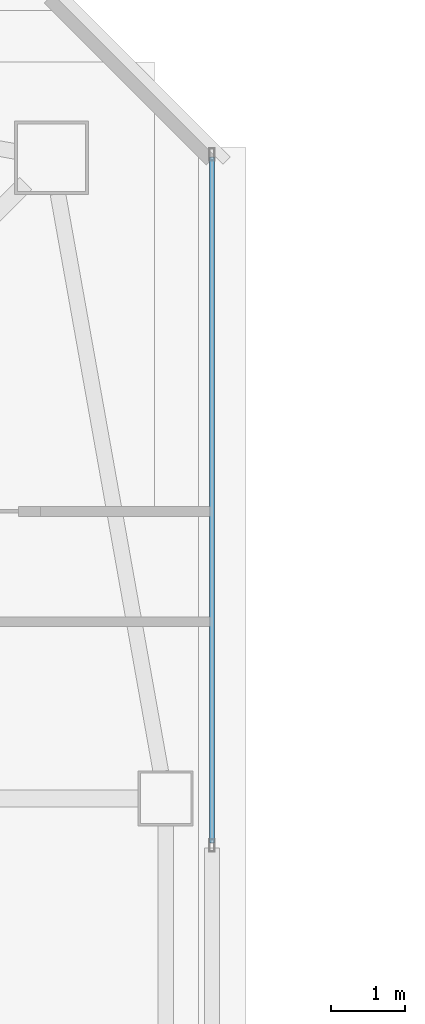
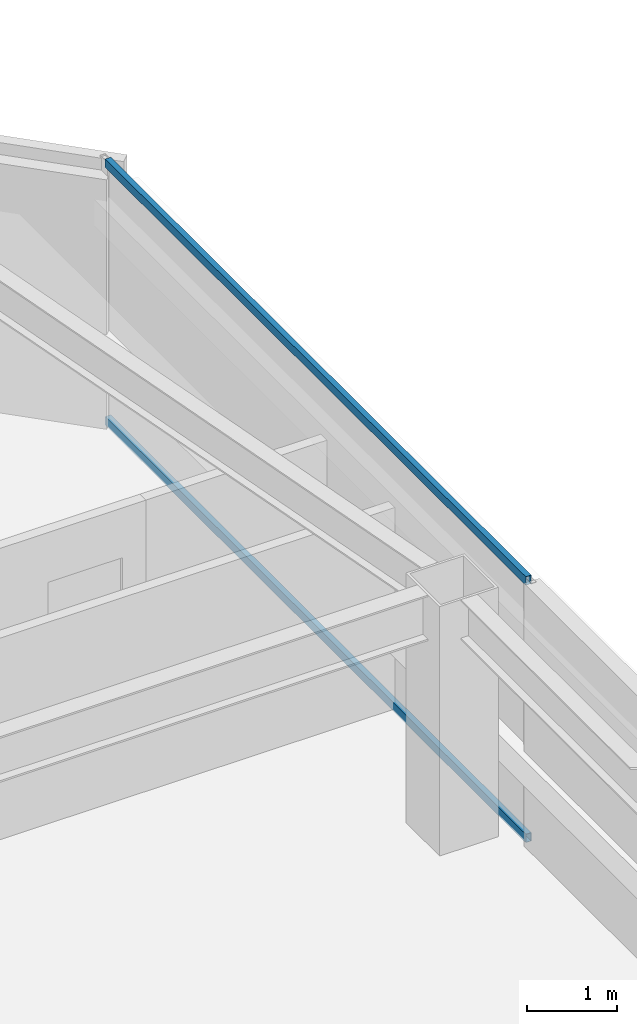
# One storey, part 12 of 39: 2 members, 1 element without a shape of its own.
"""IFC4 building model written with IfcOpenShell, lengths in metres."""

from ifc_helpers import new_model, si_unit, direction, frame, origin, origin_2d, place, context, subcontext, project, spatial, hollow_rectangle, extrude, material, material_profile, profile_set, type_object, element, aggregate, save


model = new_model("IFC4")

# Units and contexts
model_context = context("Model", 3, precision=1e-05, world=origin(), true_north=direction((0.0, 1.0)))
body_context = subcontext(model_context, "Body", "Model", "MODEL_VIEW")
ifc_project = project(units=[si_unit("LENGTHUNIT", "METRE"), si_unit("AREAUNIT", "SQUARE_METRE"), si_unit("VOLUMEUNIT", "CUBIC_METRE"), si_unit("PLANEANGLEUNIT", "RADIAN"), si_unit("MASSUNIT", "GRAM", prefix="KILO")], contexts=[model_context])

# Site, building, storey
site_placement = place(None, origin())
site = spatial("IfcSite", under=ifc_project, at=site_placement, CompositionType="ELEMENT")
building_placement = place(site_placement, origin())
building = spatial("IfcBuilding", under=site, at=building_placement, Name="Tashvorn Skyway Center", CompositionType="ELEMENT")
storey_placement = place(building_placement, frame((0.0, 0.0, 207.75)))
storey = spatial("IfcBuildingStorey", under=building, at=storey_placement, Name="L56", CompositionType="ELEMENT", Elevation=207.75)

# Curtain wall, members
ifc_material = material(Name="Thermally broken bronze-anodized aluminium 6063-T6", Category="aluminium")
curtain_wall_type = type_object("IfcCurtainWallType", Name="CW-CW-Z5", PredefinedType="NOTDEFINED", material=ifc_material)
curtain_wall_placement = place(storey_placement, origin())
curtain_wall = element("IfcCurtainWall", 1, at=curtain_wall_placement, inside=storey, type_object=curtain_wall_type, Name="Tower 1 L56 East Unitised Curtain Wall Glazing Group 1", PredefinedType="NOTDEFINED")
ifc_material_profile = material_profile(ifc_material, hollow_rectangle(XDim=0.070068359375, YDim=0.114990234375, WallThickness=0.00390625, at=origin_2d()), Name="ALU-TRAN-70x115")
ifc_profile_set = profile_set([ifc_material_profile], Name="Thermally broken bronze-anodized aluminium 6063-T6")
member_type = type_object("IfcMemberType", Name="CWT-CW-Z5", PredefinedType="USERDEFINED", material=ifc_profile_set)
member_1_placement = place(storey_placement, frame((58.280029296875, 46.110107421875, 0.034912109375), z_axis=(0.0, -1.0, 0.0), x_axis=(1.0, 0.0, 0.0)))
member_1 = element("IfcMember", 2, at=member_1_placement, type_object=member_type, Name="CW-Z5 transom 1.1", ObjectType="TRANSOM", PredefinedType="USERDEFINED", context=body_context, shape_type="SweptSolid", body=[
    extrude(hollow_rectangle(XDim=0.070068359375, YDim=0.114990234375, WallThickness=0.00390625, at=origin_2d()), origin(), (0.0, 0.0, 1.0), 9.3134765625),
])
member_2_placement = place(storey_placement, frame((58.280029296875, 46.110107421875, 3.514892578125), z_axis=(0.0, -1.0, 0.0), x_axis=(1.0, 0.0, 0.0)))
member_2 = element("IfcMember", 3, at=member_2_placement, type_object=member_type, Name="CW-Z5 transom 1.2", ObjectType="TRANSOM", PredefinedType="USERDEFINED", context=body_context, shape_type="SweptSolid", body=[
    extrude(hollow_rectangle(XDim=0.070068359375, YDim=0.114990234375, WallThickness=0.00390625, at=origin_2d()), origin(), (0.0, 0.0, 1.0), 9.3134765625),
])
aggregate(curtain_wall, [member_1, member_2])

save(model, "model.ifc")
